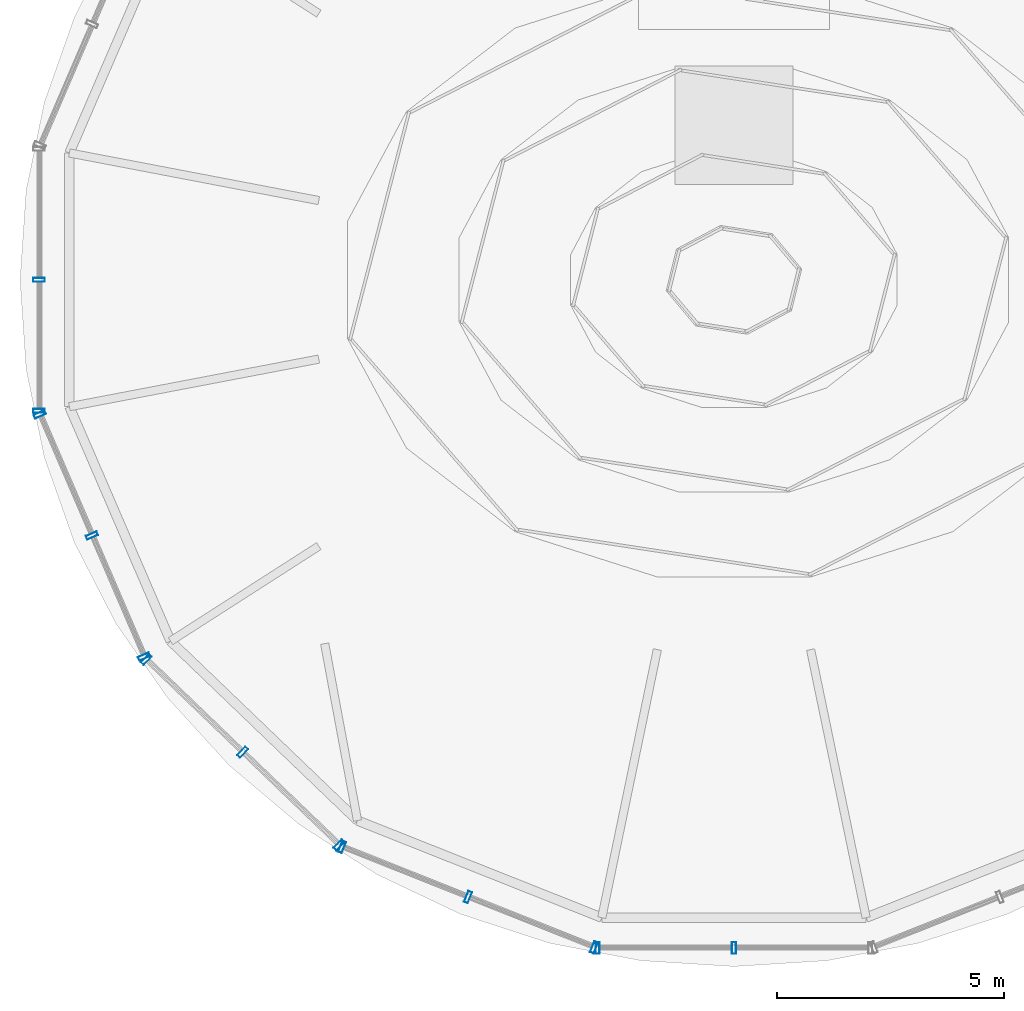
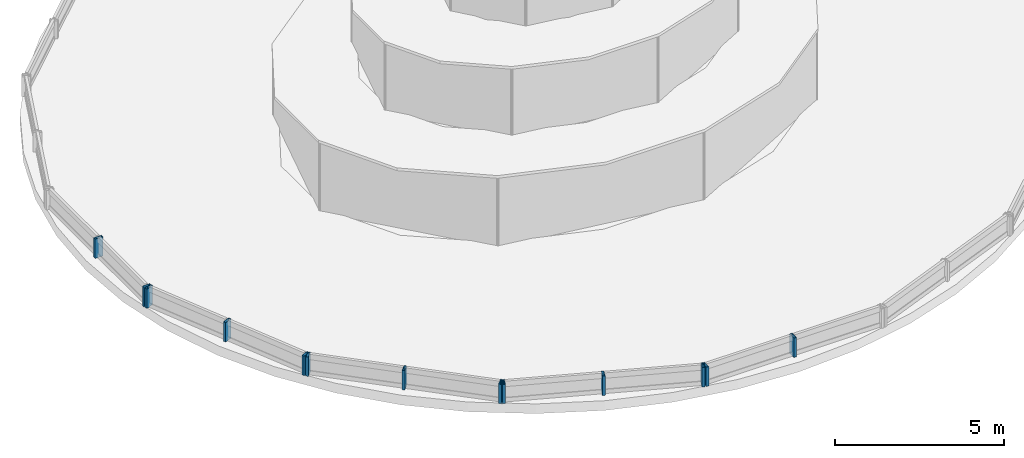
# One storey, part 3 of 8: 13 members, 5 elements without a shape of their own.
"""IFC4 building model written with IfcOpenShell, lengths in metres."""

import ifcopenshell
import ifcopenshell.guid

model = None  # the IFC model being written
_history = None  # IfcOwnerHistory: only IFC2X3 demands one
_inside = {}  # id of a spatial element -> (the spatial element, [elements in it])
_under = {}  # id of a project, library or spatial element -> (it, [spatial elements below it])
_declared = {}  # id of a project -> (the project, [libraries it declares])
_typed = {}  # id of a type object -> (the type object, [elements of that type])
_made_of = {}  # id of a material, layer set ... -> (it, [elements and type objects made of it])


def new_model(schema):
    """Start an empty IFC model of exactly this schema.

    Asked for "IFC4X3", IfcOpenShell would pick the latest addendum, in which some entities
    have other attributes; the version numbers below select the first issue.
    IFC2X3 requires an IfcOwnerHistory on every rooted entity: one is made here for all.
    """
    global model, _history
    if schema == "IFC4X3":
        model = ifcopenshell.file(schema_version=(4, 3, 0, 0))
    else:
        model = ifcopenshell.file(schema=schema)
    _inside.clear()
    _under.clear()
    _declared.clear()
    _typed.clear()
    _made_of.clear()
    _history = None
    if model.schema == "IFC2X3":
        org = make("IfcOrganization", Name="unknown")
        user = make(
            "IfcPersonAndOrganization",
            ThePerson=make("IfcPerson", FamilyName="unknown"),
            TheOrganization=org,
        )
        app = make(
            "IfcApplication",
            ApplicationDeveloper=org,
            Version="unknown",
            ApplicationFullName="unknown",
            ApplicationIdentifier="unknown",
        )
        _history = make(
            "IfcOwnerHistory",
            OwningUser=user,
            OwningApplication=app,
            ChangeAction="ADDED",
            CreationDate=0,
        )
    return model


def make(cls, **values):
    """One entity of the class cls with the attributes given. An attribute that is None is left unset."""
    return model.create_entity(
        cls, **{name: value for name, value in values.items() if value is not None}
    )


def rooted(cls, **values):
    """An entity with a GlobalId (a new one), such as an element, a storey or a relation."""
    return make(cls, GlobalId=ifcopenshell.guid.new(), OwnerHistory=_history, **values)


def si_unit(unit_type, name, prefix=None):
    """IfcSIUnit, for example si_unit("LENGTHUNIT", "METRE", prefix="MILLI")."""
    return make("IfcSIUnit", UnitType=unit_type, Prefix=prefix, Name=name)


def assignment(units):
    """IfcUnitAssignment: the units of a project."""
    return None if units is None else make("IfcUnitAssignment", Units=units)


def point(xyz):
    """IfcCartesianPoint."""
    return None if xyz is None else make("IfcCartesianPoint", Coordinates=xyz)


def direction(xyz):
    """IfcDirection."""
    return None if xyz is None else make("IfcDirection", DirectionRatios=xyz)


def frame(location, z_axis=None, x_axis=None):
    """IfcAxis2Placement3D, a coordinate frame: its origin and axes. An axis left out is left unset."""
    return make(
        "IfcAxis2Placement3D",
        Location=point(location),
        Axis=direction(z_axis),
        RefDirection=direction(x_axis),
    )


def frame_2d(location, x_axis=None):
    """IfcAxis2Placement2D, a coordinate frame in the plane: its origin and x axis."""
    return make(
        "IfcAxis2Placement2D", Location=point(location), RefDirection=direction(x_axis)
    )


def origin():
    """The frame at (0, 0, 0) with its axes left unset."""
    return frame((0.0, 0.0, 0.0))


def origin_2d():
    """The frame at (0, 0) in the plane with its x axis left unset."""
    return frame_2d((0.0, 0.0))


def place(relative_to, where):
    """IfcLocalPlacement: puts the frame where relative to a parent placement (None: the world)."""
    return make(
        "IfcLocalPlacement", PlacementRelTo=relative_to, RelativePlacement=where
    )


def context(
    kind, dimensions, precision=None, world=None, true_north=None, identifier=None
):
    """IfcGeometricRepresentationContext, for example the 3D "Model" context."""
    return make(
        "IfcGeometricRepresentationContext",
        ContextIdentifier=identifier,
        ContextType=kind,
        CoordinateSpaceDimension=dimensions,
        Precision=precision,
        WorldCoordinateSystem=world,
        TrueNorth=true_north,
    )


def subcontext(parent, identifier, kind, view, scale=None):
    """IfcGeometricRepresentationSubContext, for example "Body" below "Model"."""
    return make(
        "IfcGeometricRepresentationSubContext",
        ContextIdentifier=identifier,
        ContextType=kind,
        ParentContext=parent,
        TargetScale=scale,
        TargetView=view,
    )


def project(units=None, contexts=None):
    """IfcProject with its units and contexts."""
    return rooted(
        "IfcProject",
        Name="project",
        RepresentationContexts=contexts,
        UnitsInContext=assignment(units),
    )


def spatial(cls, under=None, at=None, **own):
    """A site, building, storey or space (cls), placed at a placement, below another one or the project."""
    s = rooted(cls, ObjectPlacement=at, **own)
    if under is not None:
        _under.setdefault(under.id(), (under, []))[1].append(s)
    return s


def profile(cls, at=None, kind="AREA", **sizes):
    """A parametric profile (cls). Its sizes go by their IFC names, for example OverallWidth=200.0."""
    return make(cls, ProfileType=kind, Position=at, **sizes)


def hollow_rectangle(**sizes):
    """IfcRectangleHollowProfileDef."""
    return profile("IfcRectangleHollowProfileDef", **sizes)


def extrude(swept, where, along, depth):
    """IfcExtrudedAreaSolid: the profile swept, set in the frame where, extruded along a direction by depth."""
    return make(
        "IfcExtrudedAreaSolid",
        SweptArea=swept,
        Position=where,
        ExtrudedDirection=direction(along),
        Depth=depth,
    )


def shape(context_of_items, identifier, shape_type, items):
    """IfcShapeRepresentation: the items that make up one representation, for example the "Body"."""
    return make(
        "IfcShapeRepresentation",
        ContextOfItems=context_of_items,
        RepresentationIdentifier=identifier,
        RepresentationType=shape_type,
        Items=items,
    )


def source(mapping_origin, context_of_items, identifier, shape_type, items):
    """IfcRepresentationMap: a shape defined once, which mapped items show again and again."""
    return make(
        "IfcRepresentationMap",
        MappingOrigin=mapping_origin,
        MappedRepresentation=shape(context_of_items, identifier, shape_type, items),
    )


def transform(
    local_origin,
    x_axis=None,
    y_axis=None,
    z_axis=None,
    scale=None,
    scale2=None,
    scale3=None,
    uniform=True,
):
    """IfcCartesianTransformationOperator3D, or its non-uniform kind. x_axis, y_axis, z_axis: its Axis1, 2, 3."""
    if uniform:
        return make(
            "IfcCartesianTransformationOperator3D",
            Axis1=direction(x_axis),
            Axis2=direction(y_axis),
            LocalOrigin=point(local_origin),
            Scale=scale,
            Axis3=direction(z_axis),
        )
    return make(
        "IfcCartesianTransformationOperator3DnonUniform",
        Axis1=direction(x_axis),
        Axis2=direction(y_axis),
        LocalOrigin=point(local_origin),
        Scale=scale,
        Axis3=direction(z_axis),
        Scale2=scale2,
        Scale3=scale3,
    )


def mapped(mapping_source, mapping_target):
    """IfcMappedItem: shows the shape of a source again, moved by a transform."""
    return make(
        "IfcMappedItem", MappingSource=mapping_source, MappingTarget=mapping_target
    )


def material(Name=None, Category=None):
    """IfcMaterial."""
    return make("IfcMaterial", Name=Name, Category=Category)


def material_profile(
    of_material, cross_section, Name=None, Category=None, Priority=None
):
    """IfcMaterialProfile: a cross section and its material."""
    return make(
        "IfcMaterialProfile",
        Name=Name,
        Material=of_material,
        Profile=cross_section,
        Priority=Priority,
        Category=Category,
    )


def profile_set(profiles, Name=None, composite=None):
    """IfcMaterialProfileSet."""
    return make(
        "IfcMaterialProfileSet",
        Name=Name,
        MaterialProfiles=profiles,
        CompositeProfile=composite,
    )


def made_of(thing, what):
    """Note that an element or type object is made of a material, layer set ...; save() writes the relation."""
    if what is not None:
        _made_of.setdefault(what.id(), (what, []))[1].append(thing)
    return thing


def type_object(cls, material=None, **own):
    """A type object (cls), such as IfcWallType, which elements share."""
    return made_of(rooted(cls, **own), material)


def element(
    cls,
    number,
    at=None,
    inside=None,
    cuts=None,
    type_object=None,
    material=None,
    context=None,
    identifier="Body",
    shape_type=None,
    held_by="IfcProductDefinitionShape",
    body=None,
    shapes=None,
    **own,
):
    """One element of the class cls, such as IfcWall. Its Tag is "e" and its number.

    at: its placement. inside: the storey or other place that contains it. cuts: it is an
    opening in that element (IfcRelVoidsElement). A single representation is given by context,
    identifier, shape_type and body (its items); several are given by shapes. held_by: the class
    of the entity that holds the representations. save() writes the other relations.
    """
    e = rooted(cls, Tag="e%d" % number, ObjectPlacement=at, **own)
    if body is not None:
        shapes = [shape(context, identifier, shape_type, body)]
    if shapes is not None:
        e.Representation = make(held_by, Representations=shapes)
    if inside is not None:
        _inside.setdefault(inside.id(), (inside, []))[1].append(e)
    if cuts is not None:
        rooted(
            "IfcRelVoidsElement", RelatingBuildingElement=cuts, RelatedOpeningElement=e
        )
    if type_object is not None:
        _typed.setdefault(type_object.id(), (type_object, []))[1].append(e)
    return made_of(e, material)


def aggregate(whole, parts):
    """IfcRelAggregates: a whole, such as a stair, and the parts it consists of."""
    return rooted("IfcRelAggregates", RelatingObject=whole, RelatedObjects=parts)


def save(model, path):
    """Write the relations noted so far, then the file.

    IfcRelAggregates (storeys below a building ...), IfcRelContainedInSpatialStructure (elements
    in a storey), IfcRelDefinesByType, IfcRelAssociatesMaterial and IfcRelDeclares: one each for
    every whole, place, type object, material and project.
    """
    for whole, parts in _under.values():
        aggregate(whole, parts)
    for where, things in _inside.values():
        rooted(
            "IfcRelContainedInSpatialStructure",
            RelatedElements=things,
            RelatingStructure=where,
        )
    for kind, things in _typed.values():
        rooted("IfcRelDefinesByType", RelatedObjects=things, RelatingType=kind)
    for what, things in _made_of.values():
        rooted("IfcRelAssociatesMaterial", RelatedObjects=things, RelatingMaterial=what)
    for by, libraries in _declared.values():
        rooted("IfcRelDeclares", RelatingContext=by, RelatedDefinitions=libraries)
    model.write(path)


model = new_model("IFC4")

# Units and contexts
model_context = context("Model", 3, precision=1e-05, world=origin(), true_north=direction((-0.2419218956, 0.970295726276)))
body_context = subcontext(model_context, "Body", "Model", "MODEL_VIEW")
ifc_project = project(units=[si_unit("LENGTHUNIT", "METRE"), si_unit("AREAUNIT", "SQUARE_METRE"), si_unit("VOLUMEUNIT", "CUBIC_METRE"), si_unit("PLANEANGLEUNIT", "RADIAN"), si_unit("MASSUNIT", "GRAM", prefix="KILO")], contexts=[model_context])

# Site, building, storey
site_placement = place(None, origin())
site = spatial("IfcSite", under=ifc_project, at=site_placement, CompositionType="ELEMENT")
building_placement = place(site_placement, origin())
building = spatial("IfcBuilding", under=site, at=building_placement, Name="Cobrevalo Terracotta Tower", CompositionType="ELEMENT")
storey_placement = place(building_placement, frame((0.0, 0.0, 337.300048828125)))
storey = spatial("IfcBuildingStorey", under=building, at=storey_placement, Name="RF", CompositionType="ELEMENT", Elevation=337.300048828125)

# Curtain wall, members
ifc_material = material(Name="Anodized aluminium", Category="aluminium")
curtain_wall_type = type_object("IfcCurtainWallType", Name="Faceted glass-point crown structural glazing system CW-CR", PredefinedType="NOTDEFINED", material=ifc_material)
curtain_wall_1_placement = place(storey_placement, origin())
curtain_wall_1 = element("IfcCurtainWall", 1, at=curtain_wall_1_placement, inside=storey, type_object=curtain_wall_type, Name="RF curtain wall CW-CRN-RF-S08", PredefinedType="NOTDEFINED")
ifc_material_profile = material_profile(ifc_material, hollow_rectangle(XDim=0.090087890625, YDim=0.260009765625, WallThickness=0.006103515625, at=origin_2d()), Name="CWM 90x260")
ifc_profile_set = profile_set([ifc_material_profile], Name="Anodized aluminium")
member_type = type_object("IfcMemberType", Name="Crown structural glass mullion 90x260", PredefinedType="MULLION", material=ifc_profile_set)
shared_shape = source(origin(), body_context, "Body", "SweptSolid", [
    extrude(hollow_rectangle(XDim=0.090087890625, YDim=0.260009765625, WallThickness=0.006103515625, at=origin_2d()), origin(), (0.0, 0.0, 1.0), 0.699951171875),
])
member_1_placement = place(storey_placement, frame((22.719482421875, 26.800048828125, 0.0), z_axis=(0.0, 0.0, 1.0), x_axis=(0.0, -1.0, 0.0)))
member_1 = element("IfcMember", 2, at=member_1_placement, type_object=member_type, Name="CW-CRN-RF-S08 vertical mullion 02", PredefinedType="MULLION", context=body_context, shape_type="MappedRepresentation", body=[
    mapped(shared_shape, transform((0.0, 0.0, 0.0), scale=1.0)),
])
member_2_placement = place(storey_placement, frame((22.719482421875, 23.91748046875, 0.0), z_axis=(0.0, 0.0, 1.0), x_axis=(0.0, -1.0, 0.0)))
member_2 = element("IfcMember", 3, at=member_2_placement, type_object=member_type, Name="CW-CRN-RF-S08 vertical mullion 03", PredefinedType="MULLION", context=body_context, shape_type="MappedRepresentation", body=[
    mapped(shared_shape, transform((0.0, 0.0, 0.0), scale=1.0)),
])
aggregate(curtain_wall_1, [member_1, member_2])

curtain_wall_2_placement = place(storey_placement, origin())
curtain_wall_2 = element("IfcCurtainWall", 4, at=curtain_wall_2_placement, inside=storey, type_object=curtain_wall_type, Name="RF curtain wall CW-CRN-RF-S09", PredefinedType="NOTDEFINED")
member_3_placement = place(storey_placement, frame((22.735107421875, 23.8408203125, 0.0), z_axis=(0.0, 0.0, 1.0), x_axis=(0.395657709004, -0.918398049489, 0.0)))
member_3 = element("IfcMember", 5, at=member_3_placement, type_object=member_type, Name="CW-CRN-RF-S09 vertical mullion 01", PredefinedType="MULLION", context=body_context, shape_type="MappedRepresentation", body=[
    mapped(shared_shape, transform((0.0, 0.0, 0.0), scale=1.0)),
])
member_4_placement = place(storey_placement, frame((23.882568359375, 21.177490234375, 0.0), z_axis=(0.0, 0.0, 1.0), x_axis=(0.395657709004, -0.918398049489, 0.0)))
member_4 = element("IfcMember", 6, at=member_4_placement, type_object=member_type, Name="CW-CRN-RF-S09 vertical mullion 02", PredefinedType="MULLION", context=body_context, shape_type="MappedRepresentation", body=[
    mapped(shared_shape, transform((0.0, 0.0, 0.0), scale=1.0)),
])
member_5_placement = place(storey_placement, frame((25.02978515625, 18.514404296875, 0.0), z_axis=(0.0, 0.0, 1.0), x_axis=(0.395657709004, -0.918398049489, 0.0)))
member_5 = element("IfcMember", 7, at=member_5_placement, type_object=member_type, Name="CW-CRN-RF-S09 vertical mullion 03", PredefinedType="MULLION", context=body_context, shape_type="MappedRepresentation", body=[
    mapped(shared_shape, transform((0.0, 0.0, 0.0), scale=1.0)),
])
aggregate(curtain_wall_2, [member_3, member_4, member_5])

curtain_wall_3_placement = place(storey_placement, origin())
curtain_wall_3 = element("IfcCurtainWall", 8, at=curtain_wall_3_placement, inside=storey, type_object=curtain_wall_type, Name="RF curtain wall CW-CRN-RF-S10", PredefinedType="NOTDEFINED")
member_6_placement = place(storey_placement, frame((25.074462890625, 18.449951171875, 0.0), z_axis=(0.0, 0.0, 1.0), x_axis=(0.720853596703, -0.693087362546, 0.0)))
member_6 = element("IfcMember", 9, at=member_6_placement, type_object=member_type, Name="CW-CRN-RF-S10 vertical mullion 01", PredefinedType="MULLION", context=body_context, shape_type="MappedRepresentation", body=[
    mapped(shared_shape, transform((0.0, 0.0, 0.0), scale=1.0)),
])
member_7_placement = place(storey_placement, frame((27.195068359375, 16.4111328125, 0.0), z_axis=(0.0, 0.0, 1.0), x_axis=(0.720853596703, -0.693087362546, 0.0)))
member_7 = element("IfcMember", 10, at=member_7_placement, type_object=member_type, Name="CW-CRN-RF-S10 vertical mullion 02", PredefinedType="MULLION", context=body_context, shape_type="MappedRepresentation", body=[
    mapped(shared_shape, transform((0.0, 0.0, 0.0), scale=1.0)),
])
member_8_placement = place(storey_placement, frame((29.3154296875, 14.372314453125, 0.0), z_axis=(0.0, 0.0, 1.0), x_axis=(0.720853596703, -0.693087362546, 0.0)))
member_8 = element("IfcMember", 11, at=member_8_placement, type_object=member_type, Name="CW-CRN-RF-S10 vertical mullion 03", PredefinedType="MULLION", context=body_context, shape_type="MappedRepresentation", body=[
    mapped(shared_shape, transform((0.0, 0.0, 0.0), scale=1.0)),
])
aggregate(curtain_wall_3, [member_6, member_7, member_8])

curtain_wall_4_placement = place(storey_placement, origin())
curtain_wall_4 = element("IfcCurtainWall", 12, at=curtain_wall_4_placement, inside=storey, type_object=curtain_wall_type, Name="RF curtain wall CW-CRN-RF-S11", PredefinedType="NOTDEFINED")
member_9_placement = place(storey_placement, frame((29.38134765625, 14.329833984375, 0.0), z_axis=(0.0, 0.0, 1.0), x_axis=(0.929029282535, -0.370006205615, 0.0)))
member_9 = element("IfcMember", 13, at=member_9_placement, type_object=member_type, Name="CW-CRN-RF-S11 vertical mullion 01", PredefinedType="MULLION", context=body_context, shape_type="MappedRepresentation", body=[
    mapped(shared_shape, transform((0.0, 0.0, 0.0), scale=1.0)),
])
member_10_placement = place(storey_placement, frame((32.15234375, 13.226318359375, 0.0), z_axis=(0.0, 0.0, 1.0), x_axis=(0.929029282535, -0.370006205615, 0.0)))
member_10 = element("IfcMember", 14, at=member_10_placement, type_object=member_type, Name="CW-CRN-RF-S11 vertical mullion 02", PredefinedType="MULLION", context=body_context, shape_type="MappedRepresentation", body=[
    mapped(shared_shape, transform((0.0, 0.0, 0.0), scale=1.0)),
])
member_11_placement = place(storey_placement, frame((34.92333984375, 12.12255859375, 0.0), z_axis=(0.0, 0.0, 1.0), x_axis=(0.929029282535, -0.370006205615, 0.0)))
member_11 = element("IfcMember", 15, at=member_11_placement, type_object=member_type, Name="CW-CRN-RF-S11 vertical mullion 03", PredefinedType="MULLION", context=body_context, shape_type="MappedRepresentation", body=[
    mapped(shared_shape, transform((0.0, 0.0, 0.0), scale=1.0)),
])
aggregate(curtain_wall_4, [member_9, member_10, member_11])

curtain_wall_5_placement = place(storey_placement, origin())
curtain_wall_5 = element("IfcCurtainWall", 16, at=curtain_wall_5_placement, inside=storey, type_object=curtain_wall_type, Name="RF curtain wall CW-CRN-RF-S12", PredefinedType="NOTDEFINED")
member_12_placement = place(storey_placement, frame((35.00048828125, 12.10791015625, 0.0), z_axis=(0.0, 0.0, 1.0), x_axis=(1.0, 0.0, 0.0)))
member_12 = element("IfcMember", 17, at=member_12_placement, type_object=member_type, Name="CW-CRN-RF-S12 vertical mullion 01", PredefinedType="MULLION", context=body_context, shape_type="MappedRepresentation", body=[
    mapped(shared_shape, transform((0.0, 0.0, 0.0), scale=1.0)),
])
member_13_placement = place(storey_placement, frame((38.0, 12.10791015625, 0.0), z_axis=(0.0, 0.0, 1.0), x_axis=(1.0, 0.0, 0.0)))
member_13 = element("IfcMember", 18, at=member_13_placement, type_object=member_type, Name="CW-CRN-RF-S12 vertical mullion 02", PredefinedType="MULLION", context=body_context, shape_type="MappedRepresentation", body=[
    mapped(shared_shape, transform((0.0, 0.0, 0.0), scale=1.0)),
])
aggregate(curtain_wall_5, [member_12, member_13])

save(model, "model.ifc")
